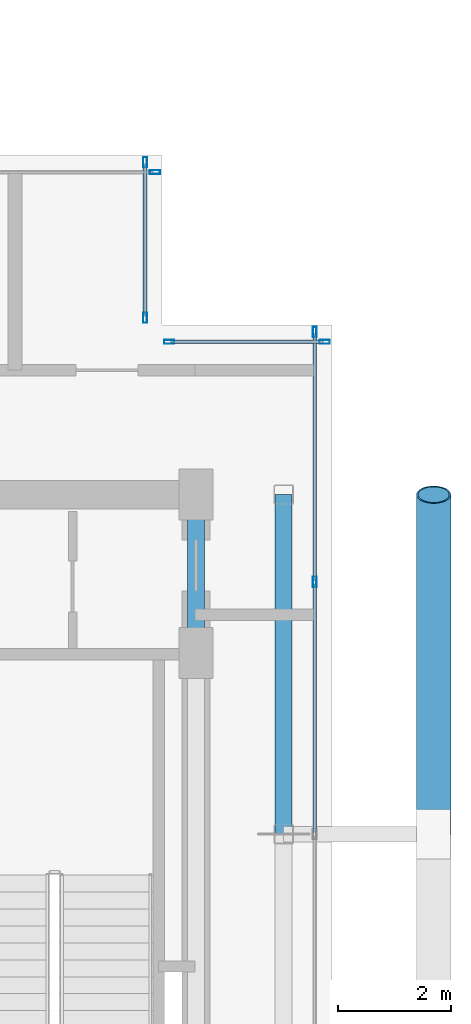
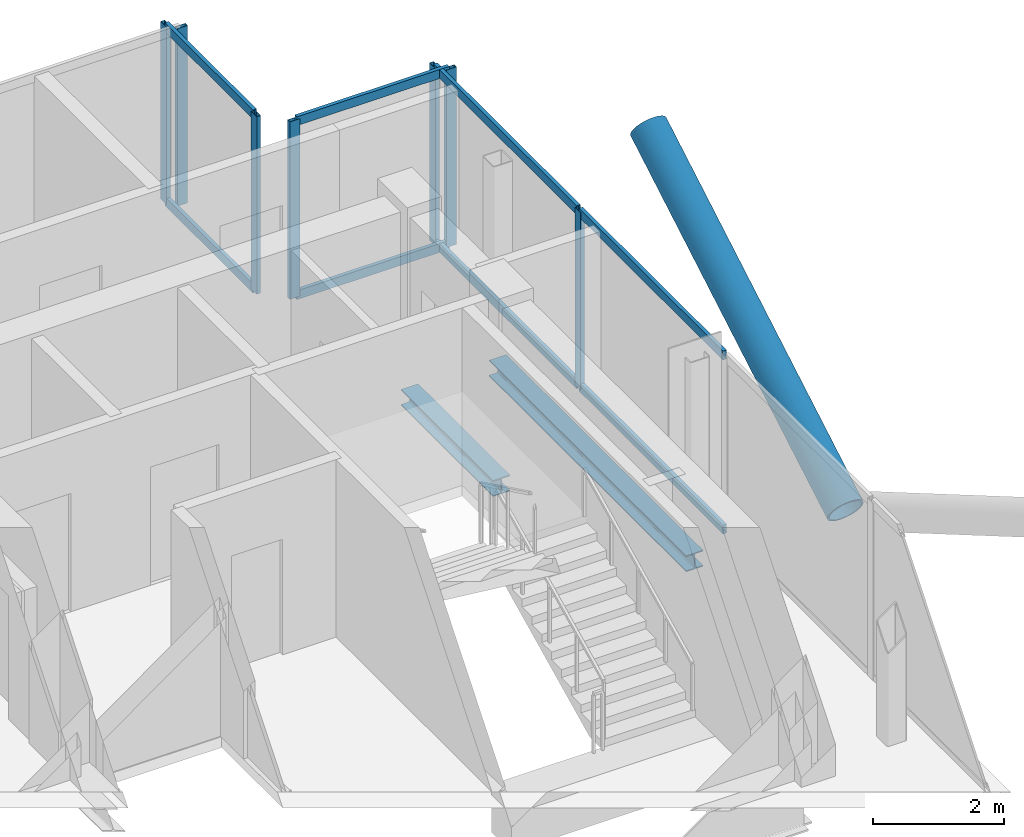
# One storey, part 12 of 18: 16 members, 2 beams, 4 elements without a shape of their own.
"""IFC4 building model written with IfcOpenShell, lengths in metres."""

from ifc_helpers import new_model, si_unit, direction, frame, origin, origin_2d, place, context, subcontext, project, spatial, hollow_rectangle, hollow_circle, i_section, extrude, material, layer, layer_set, material_profile, profile_set, type_object, element, aggregate, save


model = new_model("IFC4")

# Units and contexts
model_context = context("Model", 3, precision=1e-05, world=origin(), true_north=direction((0.0, 1.0)))
body_context = subcontext(model_context, "Body", "Model", "MODEL_VIEW")
ifc_project = project(units=[si_unit("LENGTHUNIT", "METRE"), si_unit("AREAUNIT", "SQUARE_METRE"), si_unit("VOLUMEUNIT", "CUBIC_METRE"), si_unit("PLANEANGLEUNIT", "RADIAN"), si_unit("MASSUNIT", "GRAM", prefix="KILO"), si_unit("THERMODYNAMICTEMPERATUREUNIT", "KELVIN"), si_unit("POWERUNIT", "WATT")], contexts=[model_context])

# Site, building, storey
site_placement = place(None, origin())
site = spatial("IfcSite", under=ifc_project, at=site_placement, CompositionType="ELEMENT")
building_placement = place(site_placement, origin())
building = spatial("IfcBuilding", under=site, at=building_placement, Name="Svarakhadi Broadcast Tower", CompositionType="ELEMENT")
storey_placement = place(building_placement, frame((0.0, 0.0, 246.699951171875)))
storey = spatial("IfcBuildingStorey", under=building, at=storey_placement, Name="L61", CompositionType="ELEMENT", Elevation=246.699951171875)

# Curtain wall, member
ifc_material_1 = material(Name="Anodised Bronze Aluminium AA 6063-T6", Category="aluminium")
ifc_layer = layer(ifc_material_1, 0.179931640625)
ifc_layer_set = layer_set([ifc_layer], Name="Anodised Bronze Aluminium AA 6063-T6")
curtain_wall_type = type_object("IfcCurtainWallType", Name="CW_Sys_05", PredefinedType="NOTDEFINED", material=ifc_layer_set)
curtain_wall_1_placement = place(storey_placement, origin())
curtain_wall_1 = element("IfcCurtainWall", 1, at=curtain_wall_1_placement, inside=storey, type_object=curtain_wall_type, Name="L61 Unitised Facade Curtain Wall 09", PredefinedType="NOTDEFINED")
ifc_material_profile_1 = material_profile(ifc_material_1, hollow_rectangle(XDim=0.070068359375, YDim=0.179931640625, WallThickness=0.005615234375, at=origin_2d()), Name="ALU MULLION 180x70x6")
ifc_profile_set_1 = profile_set([ifc_material_profile_1], Name="Anodised Bronze Aluminium AA 6063-T6")
member_type_1 = type_object("IfcMemberType", Name="CW_Sys_05_Mul", PredefinedType="MULLION", material=ifc_profile_set_1)
member_1_placement = place(storey_placement, frame((32.875, 23.699951171875, 0.0), z_axis=(0.0, 0.0, 1.0), x_axis=(0.0, 1.0, 0.0)))
member_1 = element("IfcMember", 2, at=member_1_placement, type_object=member_type_1, Name="CW-05 mullion 2", PredefinedType="MULLION", context=body_context, shape_type="SweptSolid", body=[
    extrude(hollow_rectangle(XDim=0.070068359375, YDim=0.179931640625, WallThickness=0.005615234375, at=origin_2d()), origin(), (0.0, 0.0, 1.0), 3.300048828125),
])
aggregate(curtain_wall_1, [member_1])

# Curtain wall, members
curtain_wall_2_placement = place(storey_placement, origin())
curtain_wall_2 = element("IfcCurtainWall", 3, at=curtain_wall_2_placement, inside=storey, type_object=curtain_wall_type, Name="L61 Unitised Facade Curtain Wall 10", PredefinedType="NOTDEFINED")
member_2_placement = place(storey_placement, frame((32.699951171875, 23.875, 0.0), z_axis=(0.0, 0.0, 1.0), x_axis=(1.0, 0.0, 0.0)))
member_2 = element("IfcMember", 4, at=member_2_placement, type_object=member_type_1, Name="CW-05 mullion 1", PredefinedType="MULLION", context=body_context, shape_type="SweptSolid", body=[
    extrude(hollow_rectangle(XDim=0.070068359375, YDim=0.179931640625, WallThickness=0.005615234375, at=origin_2d()), origin(), (0.0, 0.0, 1.0), 3.300048828125),
])
member_3_placement = place(storey_placement, frame((32.699951171875, 21.125, 0.0), z_axis=(0.0, 0.0, 1.0), x_axis=(1.0, 0.0, 0.0)))
member_3 = element("IfcMember", 5, at=member_3_placement, type_object=member_type_1, Name="CW-05 mullion 2", PredefinedType="MULLION", context=body_context, shape_type="SweptSolid", body=[
    extrude(hollow_rectangle(XDim=0.070068359375, YDim=0.179931640625, WallThickness=0.005615234375, at=origin_2d()), origin(), (0.0, 0.0, 1.0), 3.300048828125),
])

curtain_wall_3_placement = place(storey_placement, origin())
curtain_wall_3 = element("IfcCurtainWall", 6, at=curtain_wall_3_placement, inside=storey, type_object=curtain_wall_type, Name="L61 Unitised Facade Curtain Wall 11", PredefinedType="NOTDEFINED")
member_4_placement = place(storey_placement, frame((33.125, 20.699951171875, 0.0), z_axis=(0.0, 0.0, 1.0), x_axis=(0.0, 1.0, 0.0)))
member_4 = element("IfcMember", 7, at=member_4_placement, type_object=member_type_1, Name="CW-05 mullion 1", PredefinedType="MULLION", context=body_context, shape_type="SweptSolid", body=[
    extrude(hollow_rectangle(XDim=0.070068359375, YDim=0.179931640625, WallThickness=0.005615234375, at=origin_2d()), origin(), (0.0, 0.0, 1.0), 3.300048828125),
])
member_5_placement = place(storey_placement, frame((35.875, 20.699951171875, 0.0), z_axis=(0.0, 0.0, 1.0), x_axis=(0.0, 1.0, 0.0)))
member_5 = element("IfcMember", 8, at=member_5_placement, type_object=member_type_1, Name="CW-05 mullion 2", PredefinedType="MULLION", context=body_context, shape_type="SweptSolid", body=[
    extrude(hollow_rectangle(XDim=0.070068359375, YDim=0.179931640625, WallThickness=0.005615234375, at=origin_2d()), origin(), (0.0, 0.0, 1.0), 3.300048828125),
])

curtain_wall_4_placement = place(storey_placement, origin())
curtain_wall_4 = element("IfcCurtainWall", 9, at=curtain_wall_4_placement, inside=storey, type_object=curtain_wall_type, Name="L61 Unitised Facade Curtain Wall 12", PredefinedType="NOTDEFINED")
member_6_placement = place(storey_placement, frame((35.699951171875, 20.875, 0.0), z_axis=(0.0, 0.0, 1.0), x_axis=(1.0, 0.0, 0.0)))
member_6 = element("IfcMember", 10, at=member_6_placement, type_object=member_type_1, Name="CW-05 mullion 1", PredefinedType="MULLION", context=body_context, shape_type="SweptSolid", body=[
    extrude(hollow_rectangle(XDim=0.070068359375, YDim=0.179931640625, WallThickness=0.005615234375, at=origin_2d()), origin(), (0.0, 0.0, 1.0), 3.300048828125),
])
member_7_placement = place(storey_placement, frame((35.699951171875, 16.455078125, 0.0), z_axis=(0.0, 0.0, 1.0), x_axis=(1.0, 0.0, 0.0)))
member_7 = element("IfcMember", 11, at=member_7_placement, type_object=member_type_1, Name="CW-05 mullion 2", PredefinedType="MULLION", context=body_context, shape_type="SweptSolid", body=[
    extrude(hollow_rectangle(XDim=0.070068359375, YDim=0.179931640625, WallThickness=0.005615234375, at=origin_2d()), origin(), (0.0, 0.0, 1.0), 3.300048828125),
])

# Member
ifc_material_profile_2 = material_profile(ifc_material_1, hollow_rectangle(XDim=0.06494140625, YDim=0.1650390625, WallThickness=0.0048828125, at=origin_2d()), Name="ALU TRANSOM 165x65x5")
ifc_profile_set_2 = profile_set([ifc_material_profile_2], Name="Anodised Bronze Aluminium AA 6063-T6")
member_type_2 = type_object("IfcMemberType", Name="CW_Sys_05_Trn", PredefinedType="USERDEFINED", material=ifc_profile_set_2)
member_8_placement = place(storey_placement, frame((32.699951171875, 23.840087890625, 0.032470703125), z_axis=(0.0, -1.0, 0.0), x_axis=(1.0, 0.0, 0.0)))
member_8 = element("IfcMember", 12, at=member_8_placement, type_object=member_type_2, Name="CW-05 transom 1.1", ObjectType="TRANSOM", PredefinedType="USERDEFINED", context=body_context, shape_type="SweptSolid", body=[
    extrude(hollow_rectangle(XDim=0.06494140625, YDim=0.1650390625, WallThickness=0.0048828125, at=origin_2d()), origin(), (0.0, 0.0, 1.0), 2.68017578125),
])

member_9_placement = place(storey_placement, frame((32.699951171875, 23.840087890625, 3.267578125), z_axis=(0.0, -1.0, 0.0), x_axis=(1.0, 0.0, 0.0)))
member_9 = element("IfcMember", 13, at=member_9_placement, type_object=member_type_2, Name="CW-05 transom 1.2", ObjectType="TRANSOM", PredefinedType="USERDEFINED", context=body_context, shape_type="SweptSolid", body=[
    extrude(hollow_rectangle(XDim=0.06494140625, YDim=0.1650390625, WallThickness=0.0048828125, at=origin_2d()), origin(), (0.0, 0.0, 1.0), 2.68017578125),
])

aggregate(curtain_wall_2, [member_2, member_3, member_8, member_9])

member_10_placement = place(storey_placement, frame((33.159912109375, 20.699951171875, 0.032470703125), z_axis=(1.0, 0.0, 0.0), x_axis=(0.0, 1.0, 0.0)))
member_10 = element("IfcMember", 14, at=member_10_placement, type_object=member_type_2, Name="CW-05 transom 1.1", ObjectType="TRANSOM", PredefinedType="USERDEFINED", context=body_context, shape_type="SweptSolid", body=[
    extrude(hollow_rectangle(XDim=0.06494140625, YDim=0.1650390625, WallThickness=0.0048828125, at=origin_2d()), origin(), (0.0, 0.0, 1.0), 2.68017578125),
])

member_11_placement = place(storey_placement, frame((33.159912109375, 20.699951171875, 3.267578125), z_axis=(1.0, 0.0, 0.0), x_axis=(0.0, 1.0, 0.0)))
member_11 = element("IfcMember", 15, at=member_11_placement, type_object=member_type_2, Name="CW-05 transom 1.2", ObjectType="TRANSOM", PredefinedType="USERDEFINED", context=body_context, shape_type="SweptSolid", body=[
    extrude(hollow_rectangle(XDim=0.06494140625, YDim=0.1650390625, WallThickness=0.0048828125, at=origin_2d()), origin(), (0.0, 0.0, 1.0), 2.68017578125),
])

aggregate(curtain_wall_3, [member_4, member_5, member_10, member_11])

member_12_placement = place(storey_placement, frame((35.699951171875, 20.840087890625, 0.032470703125), z_axis=(0.0, -1.0, 0.0), x_axis=(1.0, 0.0, 0.0)))
member_12 = element("IfcMember", 16, at=member_12_placement, type_object=member_type_2, Name="CW-05 transom 1.1", ObjectType="TRANSOM", PredefinedType="USERDEFINED", context=body_context, shape_type="SweptSolid", body=[
    extrude(hollow_rectangle(XDim=0.06494140625, YDim=0.1650390625, WallThickness=0.0048828125, at=origin_2d()), origin(), (0.0, 0.0, 1.0), 4.35009765625),
])

member_13_placement = place(storey_placement, frame((35.699951171875, 20.840087890625, 3.267578125), z_axis=(0.0, -1.0, 0.0), x_axis=(1.0, 0.0, 0.0)))
member_13 = element("IfcMember", 17, at=member_13_placement, type_object=member_type_2, Name="CW-05 transom 1.2", ObjectType="TRANSOM", PredefinedType="USERDEFINED", context=body_context, shape_type="SweptSolid", body=[
    extrude(hollow_rectangle(XDim=0.06494140625, YDim=0.1650390625, WallThickness=0.0048828125, at=origin_2d()), origin(), (0.0, 0.0, 1.0), 4.35009765625),
])

member_14_placement = place(storey_placement, frame((35.699951171875, 16.419921875, 0.032470703125), z_axis=(0.0, -1.0, 0.0), x_axis=(1.0, 0.0, 0.0)))
member_14 = element("IfcMember", 18, at=member_14_placement, type_object=member_type_2, Name="CW-05 transom 2.1", ObjectType="TRANSOM", PredefinedType="USERDEFINED", context=body_context, shape_type="SweptSolid", body=[
    extrude(hollow_rectangle(XDim=0.06494140625, YDim=0.1650390625, WallThickness=0.0048828125, at=origin_2d()), origin(), (0.0, 0.0, 1.0), 4.385009765625),
])

member_15_placement = place(storey_placement, frame((35.699951171875, 16.419921875, 3.267578125), z_axis=(0.0, -1.0, 0.0), x_axis=(1.0, 0.0, 0.0)))
member_15 = element("IfcMember", 19, at=member_15_placement, type_object=member_type_2, Name="CW-05 transom 2.2", ObjectType="TRANSOM", PredefinedType="USERDEFINED", context=body_context, shape_type="SweptSolid", body=[
    extrude(hollow_rectangle(XDim=0.06494140625, YDim=0.1650390625, WallThickness=0.0048828125, at=origin_2d()), origin(), (0.0, 0.0, 1.0), 4.385009765625),
])

aggregate(curtain_wall_4, [member_6, member_7, member_12, member_13, member_14, member_15])

ifc_material_2 = material(Name="Steel S460ML (IS 2062 E450BR)", Category="steel")
ifc_material_profile_3 = material_profile(ifc_material_2, hollow_circle(Radius=0.304931640625, WallThickness=0.030029296875, at=origin_2d()), Name="CHS 610x30")
ifc_profile_set_3 = profile_set([ifc_material_profile_3], Name="Steel S460ML (IS 2062 E450BR)")
member_type_3 = type_object("IfcMemberType", Name="Exo_Brace_CHS610", PredefinedType="BRACE", material=ifc_profile_set_3)
member_16_placement = place(storey_placement, frame((37.800048828125, 12.0, -0.33642578125), z_axis=(0.0, 0.863778900898, 0.503871025524), x_axis=(-1.0, 0.0, 0.0)))
element("IfcMember", 20, at=member_16_placement, inside=storey, type_object=member_type_3, Name="L61 Exposed Bronze Exoskeleton Diagonal E05", PredefinedType="BRACE", context=body_context, shape_type="SweptSolid", body=[
    extrude(hollow_circle(Radius=0.304931640625, WallThickness=0.030029296875, at=origin_2d()), origin(), (0.0, 0.0, 1.0), 6.9462890625),
])

# Beams
ifc_material_3 = material(Name="Steel S355J2 (IS 2062 E350C)", Category="steel")
ifc_material_profile_4 = material_profile(ifc_material_3, i_section(OverallWidth=0.300048828125, OverallDepth=0.300048828125, WebThickness=0.010986328125, FlangeThickness=0.01904296875, FilletRadius=0.027099609375, at=origin_2d()), Name="WPB 300x300x117")
ifc_profile_set_4 = profile_set([ifc_material_profile_4], Name="Steel S355J2 (IS 2062 E350C)")
beam_type = type_object("IfcBeamType", Name="Girder_WPB300", PredefinedType="USERDEFINED", material=ifc_profile_set_4)
beam_1_placement = place(storey_placement, frame((33.60009765625, 15.199951171875, -0.349853515625), z_axis=(0.0, 1.0, 0.0), x_axis=(-1.0, 0.0, 0.0)))
element("IfcBeam", 21, at=beam_1_placement, inside=storey, type_object=beam_type, Name="L61 Primary N-S Girder G044", ObjectType="GIRDER", PredefinedType="USERDEFINED", context=body_context, shape_type="SweptSolid", body=[
    extrude(i_section(OverallWidth=0.300048828125, OverallDepth=0.300048828125, WebThickness=0.010986328125, FlangeThickness=0.01904296875, FilletRadius=0.027099609375, at=origin_2d()), origin(), (0.0, 0.0, 1.0), 2.800048828125),
])
beam_2_placement = place(storey_placement, frame((35.14990234375, 12.0, -0.349853515625), z_axis=(0.0, 1.0, 0.0), x_axis=(-1.0, 0.0, 0.0)))
element("IfcBeam", 22, at=beam_2_placement, inside=storey, type_object=beam_type, Name="L61 Primary N-S Girder G046", ObjectType="GIRDER", PredefinedType="USERDEFINED", context=body_context, shape_type="SweptSolid", body=[
    extrude(i_section(OverallWidth=0.300048828125, OverallDepth=0.300048828125, WebThickness=0.010986328125, FlangeThickness=0.01904296875, FilletRadius=0.027099609375, at=origin_2d()), origin(), (0.0, 0.0, 1.0), 6.0),
])

save(model, "model.ifc")
